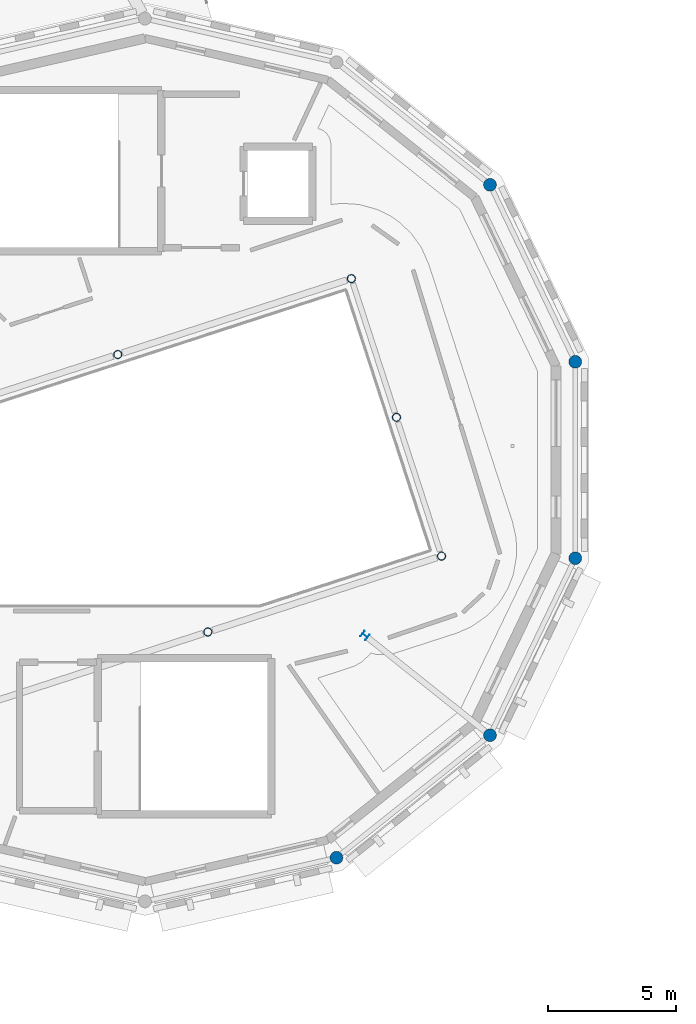
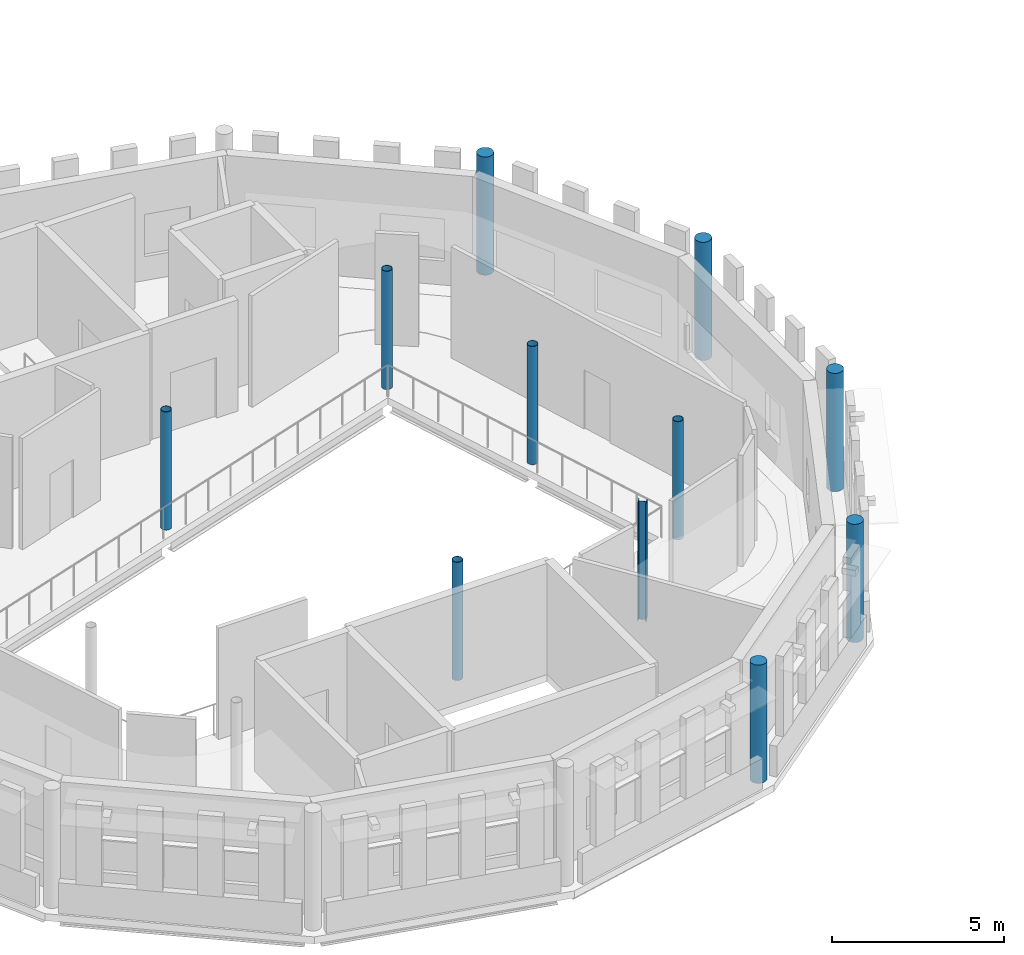
# One storey, part 2 of 68: 11 columns.
"""IFC4 building model written with IfcOpenShell, lengths in metres."""

from ifc_helpers import new_model, si_unit, direction, frame, origin, origin_2d, place, context, subcontext, project, spatial, circle, hollow_circle, i_section, extrude, material, material_profile, profile_set, type_object, element, save


model = new_model("IFC4")

# Units and contexts
model_context = context("Model", 3, precision=1e-05, world=origin(), true_north=direction((0.0, 1.0)))
body_context = subcontext(model_context, "Body", "Model", "MODEL_VIEW")
ifc_project = project(units=[si_unit("LENGTHUNIT", "METRE"), si_unit("AREAUNIT", "SQUARE_METRE"), si_unit("VOLUMEUNIT", "CUBIC_METRE"), si_unit("PLANEANGLEUNIT", "RADIAN"), si_unit("MASSUNIT", "GRAM", prefix="KILO")], contexts=[model_context])

# Site, building, storey
site_placement = place(None, origin())
site = spatial("IfcSite", under=ifc_project, at=site_placement, CompositionType="ELEMENT")
building_placement = place(site_placement, origin())
building = spatial("IfcBuilding", under=site, at=building_placement, Name="Wrenclough Park School", CompositionType="ELEMENT")
storey_placement = place(building_placement, frame((0.0, 0.0, 12.60009765625)))
storey = spatial("IfcBuildingStorey", under=building, at=storey_placement, Name="L03", CompositionType="ELEMENT", Elevation=12.60009765625)

# Columns
ifc_material_1 = material(Name="Structural steel S355", Category="steel")
ifc_material_profile_1 = material_profile(ifc_material_1, hollow_circle(Radius=0.161865234375, WallThickness=0.01611328125, at=origin_2d()), Name="CHS 323.9x16.0")
ifc_profile_set_1 = profile_set([ifc_material_profile_1], Name="Structural steel S355")
column_type_1 = type_object("IfcColumnType", Name="STR-COL-CHS324", PredefinedType="COLUMN", material=ifc_profile_set_1)
for number, where, z_axis, x_axis, name in (
    (1, (38.96142578125, 16.779052734375, 0.0), (0.0, 0.0, 1.0), (0.951056516295, 0.309016994375, 0.0), "D2 L03 column D2HR-1-0"),
    (2, (35.438720703125, 27.62109375, 0.0), (0.0, 0.0, 1.0), (0.951056516295, 0.309016994375, 0.0), "D2 L03 column D2HR-1-2"),
    (3, (48.091552734375, 19.74560546875, 0.0), (0.0, 0.0, 1.0), (0.951056516295, 0.309016994375, 0.0), "D2 L03 column D2HR-2-0"),
    (4, (46.330078125, 25.16650390625, 0.0), (0.0, 0.0, 1.0), (0.951056516295, 0.309016994375, 0.0), "D2 L03 column D2HR-2-1"),
    (5, (44.568603515625, 30.587646484375, 0.0), (0.0, 0.0, 1.0), (0.951056516295, 0.309016994375, 0.0), "D2 L03 column D2HR-2-2"),
):
    element("IfcColumn", number, at=place(storey_placement, frame(where, z_axis=z_axis, x_axis=x_axis)), inside=storey, type_object=column_type_1, Name=name, PredefinedType="COLUMN", context=body_context, shape_type="SweptSolid", body=[
        extrude(hollow_circle(Radius=0.161865234375, WallThickness=0.01611328125, at=origin_2d()), origin(), (0.0, 0.0, 1.0), 4.199951171875),
    ])
ifc_material_2 = material(Name="Concrete C40/50", Category="concrete")
ifc_material_profile_2 = material_profile(ifc_material_2, circle(Radius=0.25, at=origin_2d()), Name="RC COL D500")
ifc_profile_set_2 = profile_set([ifc_material_profile_2], Name="Concrete C40/50")
column_type_2 = type_object("IfcColumnType", Name="STR-COL-RCD500", PredefinedType="COLUMN", material=ifc_profile_set_2)
for number, where, z_axis, x_axis, name in (
    (6, (53.3173828125, 27.33837890625, 0.0), (0.0, 0.0, 1.0), (-0.222569549971, 0.974916814618, 0.0), "D2 L03 column D2-OUT-01"),
    (7, (49.986572265625, 34.255126953125, 0.0), (0.0, 0.0, 1.0), (-0.623470308046, 0.781847027868, 0.0), "D2 L03 column D2-OUT-02"),
    (8, (43.984619140625, 7.958251953125, 0.0), (0.0, 0.0, 1.0), (0.90100131981, 0.43381634559, 0.0), "D2 L03 column D2-OUT-12"),
    (9, (49.986572265625, 12.744873046875, 0.0), (0.0, 0.0, 1.0), (0.623470308046, 0.781847027868, 0.0), "D2 L03 column D2-OUT-13"),
    (10, (53.3173828125, 19.66162109375, 0.0), (0.0, 0.0, 1.0), (0.222569549971, 0.974916814618, 0.0), "D2 L03 column D2-OUT-14"),
):
    element("IfcColumn", number, at=place(storey_placement, frame(where, z_axis=z_axis, x_axis=x_axis)), inside=storey, type_object=column_type_2, Name=name, PredefinedType="COLUMN", context=body_context, shape_type="SweptSolid", body=[
        extrude(circle(Radius=0.25, at=origin_2d()), origin(), (0.0, 0.0, 1.0), 4.199951171875),
    ])
ifc_material_profile_3 = material_profile(ifc_material_1, i_section(OverallWidth=0.254638671875, OverallDepth=0.254150390625, WebThickness=0.008544921875, FlangeThickness=0.01416015625, FilletRadius=0.0126953125, at=origin_2d()), Name="UKC 254x254x73")
ifc_profile_set_3 = profile_set([ifc_material_profile_3], Name="Structural steel S355")
column_type_3 = type_object("IfcColumnType", Name="STR-COL-UKC254A", PredefinedType="COLUMN", material=ifc_profile_set_3)
column_placement = place(storey_placement, frame((45.10009765625, 16.6416015625, 0.0), z_axis=(0.0, 0.0, 1.0), x_axis=(0.623470308046, 0.781847027868, 0.0)))
element("IfcColumn", 11, at=column_placement, inside=storey, type_object=column_type_3, Name="D2 L03 column D2-MID-13", PredefinedType="COLUMN", context=body_context, shape_type="SweptSolid", body=[
    extrude(i_section(OverallWidth=0.254638671875, OverallDepth=0.254150390625, WebThickness=0.008544921875, FlangeThickness=0.01416015625, FilletRadius=0.0126953125, at=origin_2d()), origin(), (0.0, 0.0, 1.0), 4.199951171875),
])

save(model, "model.ifc")
